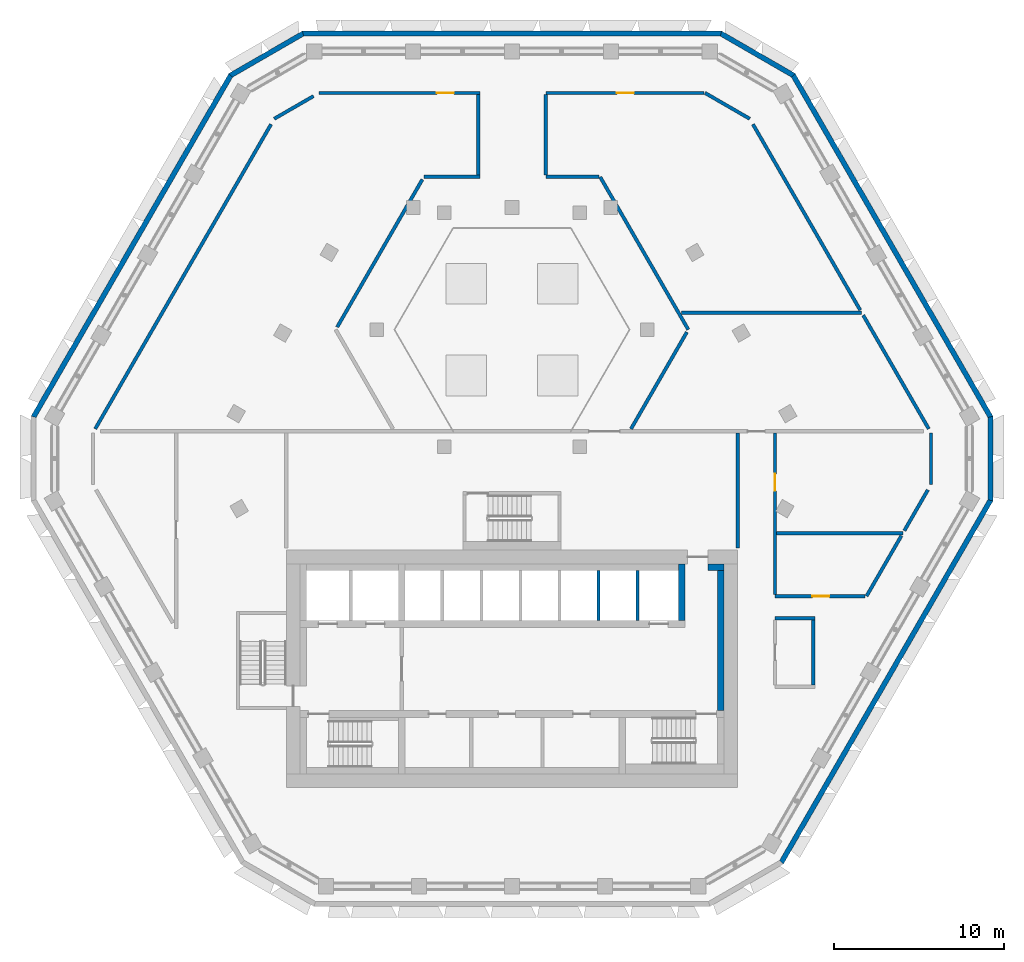
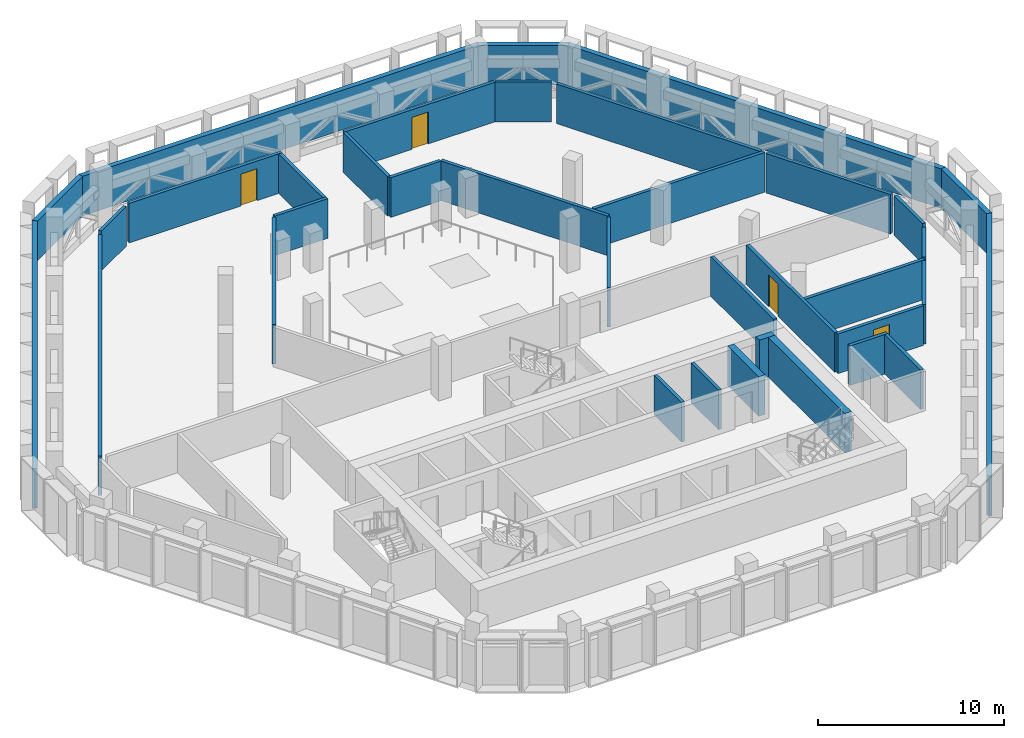
# One storey, part 13 of 22: 36 walls, 4 doors, 4 openings.
"""IFC4 building model written with IfcOpenShell, lengths in metres."""

from ifc_helpers import new_model, si_unit, direction, frame, frame_2d, origin, place, context, subcontext, project, spatial, polyline, rectangle, outline, extrude, material, layer, layer_set, type_object, element, fill, save


model = new_model("IFC4")

# Units and contexts
model_context = context("Model", 3, precision=1e-05, world=origin(), true_north=direction((0.0, 1.0)))
body_context = subcontext(model_context, "Body", "Model", "MODEL_VIEW")
ifc_project = project(units=[si_unit("LENGTHUNIT", "METRE"), si_unit("AREAUNIT", "SQUARE_METRE"), si_unit("VOLUMEUNIT", "CUBIC_METRE"), si_unit("PLANEANGLEUNIT", "RADIAN"), si_unit("MASSUNIT", "GRAM", prefix="KILO")], contexts=[model_context])

# Site, building, storey
site_placement = place(None, origin())
site = spatial("IfcSite", under=ifc_project, at=site_placement, CompositionType="ELEMENT")
building_placement = place(site_placement, origin())
building = spatial("IfcBuilding", under=site, at=building_placement, Name="Beryl Residences", CompositionType="ELEMENT")
storey_placement = place(building_placement, frame((0.0, 0.0, 153.60009765625)))
storey = spatial("IfcBuildingStorey", under=building, at=storey_placement, Name="L47", CompositionType="ELEMENT", Elevation=153.60009765625)

# Walls
ifc_material_1 = material(Name="Composite metal panel with mineral wool insulation")
ifc_layer_1 = layer(ifc_material_1, 0.300048828125)
ifc_layer_set_1 = layer_set([ifc_layer_1], Name="ES1 pale metal composite panel wall 300 mm")
wall_type_1 = type_object("IfcWallType", Name="ES1 pale metal composite panel wall 300 mm", PredefinedType="SOLIDWALL", material=ifc_layer_set_1)
wall_1_placement = place(storey_placement, frame((12.35498046875, 25.449951171875, 0.0), z_axis=(0.0, 0.0, 1.0), x_axis=(-1.0, 0.0, 0.0)))
element("IfcWall", 1, at=wall_1_placement, inside=storey, type_object=wall_type_1, Name="ES1 external wall L47 N", PredefinedType="SOLIDWALL", context=body_context, shape_type="SweptSolid", body=[
    extrude(outline(polyline([(0.0, -0.14990234375), (24.7099609375, -0.14990234375), (24.629638671875, 0.14990234375), (0.080322265625, 0.14990234375), (0.0, -0.14990234375)])), origin(), (0.0, 0.0, 1.0), 2.599853515625),
])
wall_2_placement = place(storey_placement, frame((-12.280029296875, 25.469970703125, 0.0), z_axis=(0.0, 0.0, 1.0), x_axis=(-0.866022959057, -0.500004234368, 0.0)))
element("IfcWall", 2, at=wall_2_placement, inside=storey, type_object=wall_type_1, Name="ES1 external wall L47 N-NW", PredefinedType="SOLIDWALL", context=body_context, shape_type="SweptSolid", body=[
    extrude(outline(polyline([(0.0, -0.14990234375), (5.0, -0.14990234375), (4.919677734375, 0.14990234375), (0.080322265625, 0.14990234375), (0.0, -0.14990234375)])), origin(), (0.0, 0.0, 1.0), 2.599853515625),
])
wall_3_placement = place(storey_placement, frame((-16.554931640625, 23.02490234375, 0.0), z_axis=(0.0, 0.0, 1.0), x_axis=(-0.500020536353, -0.866013546791, 0.0)))
element("IfcWall", 3, at=wall_3_placement, inside=storey, type_object=wall_type_1, Name="ES1 external wall L47 NW", PredefinedType="SOLIDWALL", context=body_context, shape_type="SweptSolid", body=[
    extrude(outline(polyline([(0.0, -0.14990234375), (23.3251953125, -0.14990234375), (23.244873046875, 0.14990234375), (0.080322265625, 0.14990234375), (0.0, -0.14990234375)])), origin(), (0.0, 0.0, 1.0), 2.599853515625),
])
wall_4_placement = place(storey_placement, frame((15.862060546875, -23.425048828125, 0.0), z_axis=(0.0, 0.0, 1.0), x_axis=(0.500017503135, 0.866015298109, 0.0)))
element("IfcWall", 4, at=wall_4_placement, inside=storey, type_object=wall_type_1, Name="ES1 external wall L47 SE", PredefinedType="SOLIDWALL", context=body_context, shape_type="SweptSolid", body=[
    extrude(outline(polyline([(0.0, -0.14990234375), (24.7109375, -0.14990234375), (24.630615234375, 0.14990234375), (0.080322265625, 0.14990234375), (0.0, -0.14990234375)])), origin(), (0.0, 0.0, 1.0), 2.599853515625),
])
wall_5_placement = place(storey_placement, frame((28.197998046875, -2.10009765625, 0.0), z_axis=(0.0, 0.0, 1.0), x_axis=(0.0, 1.0, 0.0)))
element("IfcWall", 5, at=wall_5_placement, inside=storey, type_object=wall_type_1, Name="ES1 external wall L47 SE-NE", PredefinedType="SOLIDWALL", context=body_context, shape_type="SweptSolid", body=[
    extrude(outline(polyline([(0.0, -0.14990234375), (5.0, -0.14990234375), (4.919677734375, 0.14990234375), (0.080322265625, 0.14990234375), (0.0, -0.14990234375)])), origin(), (0.0, 0.0, 1.0), 2.599853515625),
])
wall_6_placement = place(storey_placement, frame((28.218017578125, 2.824951171875, 0.0), z_axis=(0.0, 0.0, 1.0), x_axis=(-0.500020536353, 0.866013546791, 0.0)))
element("IfcWall", 6, at=wall_6_placement, inside=storey, type_object=wall_type_1, Name="ES1 external wall L47 NE", PredefinedType="SOLIDWALL", context=body_context, shape_type="SweptSolid", body=[
    extrude(outline(polyline([(0.0, -0.14990234375), (23.3251953125, -0.14990234375), (23.244873046875, 0.14990234375), (0.080322265625, 0.14990234375), (0.0, -0.14990234375)])), origin(), (0.0, 0.0, 1.0), 2.599853515625),
])
wall_7_placement = place(storey_placement, frame((16.610107421875, 22.969970703125, 0.0), z_axis=(0.0, 0.0, 1.0), x_axis=(-0.866022959057, 0.500004234368, 0.0)))
element("IfcWall", 7, at=wall_7_placement, inside=storey, type_object=wall_type_1, Name="ES1 external wall L47 NE-N", PredefinedType="SOLIDWALL", context=body_context, shape_type="SweptSolid", body=[
    extrude(outline(polyline([(0.0, -0.14990234375), (5.0, -0.14990234375), (4.919677734375, 0.14990234375), (0.080322265625, 0.14990234375), (0.0, -0.14990234375)])), origin(), (0.0, 0.0, 1.0), 2.599853515625),
])
ifc_material_2 = material(Name="Cement board with tiles")
ifc_layer_2 = layer(ifc_material_2, 0.199951171875)
ifc_layer_set_2 = layer_set([ifc_layer_2], Name="PT11-200 wet area wall 200 mm")
wall_type_2 = type_object("IfcWallType", Name="PT11-200 wet area wall 200 mm", PredefinedType="PARTITIONING", material=ifc_layer_set_2)
wall_8_placement = place(storey_placement, frame((15.5, -9.0, 0.0), z_axis=(0.0, 0.0, 1.0), x_axis=(1.0, 0.0, 0.0)))
element("IfcWall", 8, at=wall_8_placement, inside=storey, type_object=wall_type_2, Name="Wall PT11-200 L47 002", PredefinedType="PARTITIONING", context=body_context, shape_type="SweptSolid", body=[
    extrude(rectangle(XDim=2.35009765625, YDim=0.199951171875, at=frame_2d((1.175048828125, 0.0))), origin(), (0.0, 0.0, 1.0), 2.599853515625),
])
wall_9_placement = place(storey_placement, frame((17.75, -12.951904296875, 0.0), z_axis=(0.0, 0.0, 1.0), x_axis=(0.0, 1.0, 0.0)))
element("IfcWall", 9, at=wall_9_placement, inside=storey, type_object=wall_type_2, Name="Wall PT11-200 L47 004", PredefinedType="PARTITIONING", context=body_context, shape_type="SweptSolid", body=[
    extrude(rectangle(XDim=3.851806640625, YDim=0.199951171875, at=frame_2d((1.92578125, 0.0))), origin(), (0.0, 0.0, 1.0), 2.599853515625),
])
ifc_material_3 = material(Name="Concrete masonry", Category="masonry")
ifc_layer_3 = layer(ifc_material_3, 0.39990234375)
ifc_layer_set_3 = layer_set([ifc_layer_3], Name="PT13-400 lobby wall 400 mm")
wall_type_3 = type_object("IfcWallType", Name="PT13-400 lobby wall 400 mm", PredefinedType="PARTITIONING", material=ifc_layer_set_3)
wall_10_placement = place(storey_placement, frame((11.550048828125, -6.0, 0.0), z_axis=(0.0, 0.0, 1.0), x_axis=(1.0, 0.0, 0.0)))
element("IfcWall", 10, at=wall_10_placement, inside=storey, type_object=wall_type_3, Name="Lobby wall 23", PredefinedType="PARTITIONING", context=body_context, shape_type="SweptSolid", body=[
    extrude(rectangle(XDim=0.949951171875, YDim=0.39990234375, at=frame_2d((0.47509765625, 0.0))), origin(), (0.0, 0.0, 1.0), 2.599853515625),
])
wall_11_placement = place(storey_placement, frame((12.300048828125, -14.449951171875, 0.0), z_axis=(0.0, 0.0, 1.0), x_axis=(0.0, 1.0, 0.0)))
element("IfcWall", 11, at=wall_11_placement, inside=storey, type_object=wall_type_3, Name="Lobby wall 25", PredefinedType="PARTITIONING", context=body_context, shape_type="SweptSolid", body=[
    extrude(rectangle(XDim=8.25, YDim=0.39990234375, at=frame_2d((4.125, 0.0))), origin(), (0.0, 0.0, 1.0), 2.599853515625),
])
ifc_material_4 = material(Name="Double stud gypsum board wall")
ifc_layer_4 = layer(ifc_material_4, 0.199951171875)
ifc_layer_set_4 = layer_set([ifc_layer_4], Name="PT4 corridor wall 200 mm double stud")
wall_type_4 = type_object("IfcWallType", Name="PT4 corridor wall 200 mm double stud", PredefinedType="PARTITIONING", material=ifc_layer_set_4)
wall_12_placement = place(storey_placement, frame((13.300048828125, -4.8798828125, 0.0), z_axis=(0.0, 0.0, 1.0), x_axis=(0.0, 1.0, 0.0)))
element("IfcWall", 12, at=wall_12_placement, inside=storey, type_object=wall_type_4, Name="Wall PT4 L47 002", PredefinedType="PARTITIONING", context=body_context, shape_type="SweptSolid", body=[
    extrude(rectangle(XDim=6.77978515625, YDim=0.199951171875, at=frame_2d((3.389892578125, 0.0))), origin(), (0.0, 0.0, 1.0), 2.599853515625),
])
ifc_material_5 = material(Name="Concrete C40/50", Category="concrete")
ifc_layer_5 = layer(ifc_material_5, 0.199951171875)
ifc_layer_set_5 = layer_set([ifc_layer_5], Name="PT6 lift shaft wall 200 mm reinforced concrete C40/50")
wall_type_5 = type_object("IfcWallType", Name="PT6 lift shaft wall 200 mm reinforced concrete C40/50", PredefinedType="SOLIDWALL", material=ifc_layer_set_5)
for number, where, z_axis, x_axis, name in (
    (13, (5.10009765625, -9.14990234375, 0.0), (0.0, 0.0, 1.0), (0.0, 1.0, 0.0), "Lift shaft wall 20"),
    (14, (7.39990234375, -9.14990234375, 0.0), (0.0, 0.0, 1.0), (0.0, 1.0, 0.0), "Lift shaft wall 22"),
):
    element("IfcWall", number, at=place(storey_placement, frame(where, z_axis=z_axis, x_axis=x_axis)), inside=storey, type_object=wall_type_5, Name=name, PredefinedType="SOLIDWALL", context=body_context, shape_type="SweptSolid", body=[
        extrude(rectangle(XDim=2.949951171875, YDim=0.199951171875, at=frame_2d((1.47509765625, 0.0))), origin(), (0.0, 0.0, 1.0), 2.599853515625),
    ])

# Wall, opening, door
ifc_material_6 = material(Name="Concrete masonry", Category="masonry")
ifc_layer_6 = layer(ifc_material_6, 0.199951171875)
ifc_layer_set_6 = layer_set([ifc_layer_6], Name="PT8-200 service room wall 200 mm")
wall_type_6 = type_object("IfcWallType", Name="PT8-200 service room wall 200 mm", PredefinedType="PARTITIONING", material=ifc_layer_set_6)
wall_13_placement = place(storey_placement, frame((15.5, -7.7060546875, 0.0), z_axis=(0.0, 0.0, 1.0), x_axis=(1.0, 0.0, 0.0)))
wall_13 = element("IfcWall", 15, at=wall_13_placement, inside=storey, type_object=wall_type_6, Name="Wall PT8-200 L47 001", PredefinedType="PARTITIONING", context=body_context, shape_type="SweptSolid", body=[
    extrude(rectangle(XDim=5.31591796875, YDim=0.199951171875, at=frame_2d((2.657958984375, 0.0))), origin(), (0.0, 0.0, 1.0), 2.599853515625),
])
opening_1_placement = place(wall_13_placement, frame((2.198974609375, 0.0, 0.0)))
opening_1 = element("IfcOpeningElement", 16, at=opening_1_placement, cuts=wall_13, Name="Opening L47-03", PredefinedType="OPENING", context=body_context, shape_type="SweptSolid", body=[
    extrude(rectangle(XDim=1.0, YDim=2.10009765625, at=frame_2d((0.5, 1.050048828125))), frame((0.0, 0.10986328125, 0.0), z_axis=(0.0, -1.0, 0.0), x_axis=(1.0, 0.0, 0.0)), (0.0, 0.0, 1.0), 0.219970703125),
])
ifc_material_7 = material(Name="Timber door leaf", Category="wood")
door_type_1 = type_object("IfcDoorType", Name="D9 corridor door 1000 x 2100 mm", OperationType="SINGLE_SWING_LEFT", PredefinedType="DOOR", material=ifc_material_7)
door_1_placement = place(opening_1_placement, origin())
door_1 = element("IfcDoor", 17, at=door_1_placement, inside=storey, type_object=door_type_1, Name="Door L47-03 L47 001", OperationType="SINGLE_SWING_LEFT", OverallHeight=2.10009765625, OverallWidth=1.0, PredefinedType="DOOR", context=body_context, shape_type="SweptSolid", body=[
    extrude(rectangle(XDim=1.0, YDim=2.10009765625, at=frame_2d((0.5, 1.050048828125))), frame((0.0, 0.02490234375, 0.0), z_axis=(0.0, -1.0, 0.0), x_axis=(1.0, 0.0, 0.0)), (0.0, 0.0, 1.0), 0.050048828125),
])
fill(opening_1, door_1)

# Walls
wall_14_placement = place(storey_placement, frame((20.89599609375, -7.7060546875, 0.0), z_axis=(0.0, 0.0, 1.0), x_axis=(0.499969497581, 0.866043013648, 0.0)))
element("IfcWall", 18, at=wall_14_placement, inside=storey, type_object=wall_type_6, Name="Wall PT8-200 L47 002", PredefinedType="PARTITIONING", context=body_context, shape_type="SweptSolid", body=[
    extrude(rectangle(XDim=4.106201171875, YDim=0.199951171875, at=frame_2d((2.05322265625, 0.0))), origin(), (0.0, 0.0, 1.0), 2.599853515625),
])
ifc_material_8 = material(Name="Concrete C40/50", Category="concrete")
ifc_layer_7 = layer(ifc_material_8, 0.199951171875)
ifc_layer_set_7 = layer_set([ifc_layer_7], Name="PT9-200 plant room wall 200 mm")
wall_type_7 = type_object("IfcWallType", Name="PT9-200 plant room wall 200 mm", PredefinedType="SOLIDWALL", material=ifc_layer_set_7)
wall_15_placement = place(storey_placement, frame((15.60009765625, -4.0, 0.0), z_axis=(0.0, 0.0, 1.0), x_axis=(1.0, 0.0, 0.0)))
element("IfcWall", 19, at=wall_15_placement, inside=storey, type_object=wall_type_7, Name="Wall PT9-200 L47 001", PredefinedType="SOLIDWALL", context=body_context, shape_type="SweptSolid", body=[
    extrude(rectangle(XDim=7.435791015625, YDim=0.199951171875, at=frame_2d((3.7177734375, 0.0))), origin(), (0.0, 0.0, 1.0), 2.599853515625),
])
wall_16_placement = place(storey_placement, frame((9.985107421875, 9.0, 0.0), z_axis=(0.0, 0.0, 1.0), x_axis=(1.0, 0.0, 0.0)))
element("IfcWall", 20, at=wall_16_placement, inside=storey, type_object=wall_type_7, Name="Wall PT9-200 L47 003", PredefinedType="SOLIDWALL", context=body_context, shape_type="SweptSolid", body=[
    extrude(rectangle(XDim=10.6259765625, YDim=0.199951171875, at=frame_2d((5.31298828125, 0.0))), origin(), (0.0, 0.0, 1.0), 2.599853515625),
])
wall_17_placement = place(storey_placement, frame((-5.196044921875, 17.0, 0.0), z_axis=(0.0, 0.0, 1.0), x_axis=(1.0, 0.0, 0.0)))
element("IfcWall", 21, at=wall_17_placement, inside=storey, type_object=wall_type_7, Name="Wall PT9-200 L47 004", PredefinedType="SOLIDWALL", context=body_context, shape_type="SweptSolid", body=[
    extrude(rectangle(XDim=3.296142578125, YDim=0.199951171875, at=frame_2d((1.64794921875, 0.0))), origin(), (0.0, 0.0, 1.0), 2.599853515625),
])
wall_18_placement = place(storey_placement, frame((2.0, 17.0, 0.0), z_axis=(0.0, 0.0, 1.0), x_axis=(1.0, 0.0, 0.0)))
element("IfcWall", 22, at=wall_18_placement, inside=storey, type_object=wall_type_7, Name="Wall PT9-200 L47 005", PredefinedType="SOLIDWALL", context=body_context, shape_type="SweptSolid", body=[
    extrude(rectangle(XDim=3.115966796875, YDim=0.199951171875, at=frame_2d((1.55810546875, 0.0))), origin(), (0.0, 0.0, 1.0), 2.599853515625),
])

# Wall, opening, door
wall_19_placement = place(storey_placement, frame((-11.376953125, 21.949951171875, 0.0), z_axis=(0.0, 0.0, 1.0), x_axis=(1.0, 0.0, 0.0)))
wall_19 = element("IfcWall", 23, at=wall_19_placement, inside=storey, type_object=wall_type_7, Name="Wall PT9-200 L47 006", PredefinedType="SOLIDWALL", context=body_context, shape_type="SweptSolid", body=[
    extrude(rectangle(XDim=9.47705078125, YDim=0.199951171875, at=frame_2d((4.738525390625, 0.0))), origin(), (0.0, 0.0, 1.0), 2.599853515625),
])
opening_2_placement = place(wall_19_placement, frame((7.945068359375, 0.0, 0.0), z_axis=(0.0, 0.0, 1.0), x_axis=(-1.0, 0.0, 0.0)))
opening_2 = element("IfcOpeningElement", 24, at=opening_2_placement, cuts=wall_19, Name="Opening L47-04", PredefinedType="OPENING", context=body_context, shape_type="SweptSolid", body=[
    extrude(rectangle(XDim=1.0, YDim=2.10009765625, at=frame_2d((0.5, 1.050048828125))), frame((0.0, 0.10986328125, 0.0), z_axis=(0.0, -1.0, 0.0), x_axis=(1.0, 0.0, 0.0)), (0.0, 0.0, 1.0), 0.219970703125),
])
ifc_material_9 = material(Name="Steel door leaf in steel frame", Category="steel")
door_type_2 = type_object("IfcDoorType", Name="D16 plant room door 1000 x 2100 mm", OperationType="SINGLE_SWING_LEFT", PredefinedType="DOOR", material=ifc_material_9)
door_2_placement = place(opening_2_placement, origin())
door_2 = element("IfcDoor", 25, at=door_2_placement, inside=storey, type_object=door_type_2, Name="Door L47-04 L47 001", OperationType="SINGLE_SWING_LEFT", OverallHeight=2.10009765625, OverallWidth=1.0, PredefinedType="DOOR", context=body_context, shape_type="SweptSolid", body=[
    extrude(rectangle(XDim=1.0, YDim=2.10009765625, at=frame_2d((0.5, 1.050048828125))), frame((0.0, 0.02490234375, 0.0), z_axis=(0.0, -1.0, 0.0), x_axis=(1.0, 0.0, 0.0)), (0.0, 0.0, 1.0), 0.050048828125),
])
fill(opening_2, door_2)

wall_20_placement = place(storey_placement, frame((2.0, 21.949951171875, 0.0), z_axis=(0.0, 0.0, 1.0), x_axis=(1.0, 0.0, 0.0)))
wall_20 = element("IfcWall", 26, at=wall_20_placement, inside=storey, type_object=wall_type_7, Name="Wall PT9-200 L47 007", PredefinedType="SOLIDWALL", context=body_context, shape_type="SweptSolid", body=[
    extrude(rectangle(XDim=9.326904296875, YDim=0.199951171875, at=frame_2d((4.66357421875, 0.0))), origin(), (0.0, 0.0, 1.0), 2.599853515625),
])
opening_3_placement = place(wall_20_placement, frame((5.18798828125, 0.0, 0.0), z_axis=(0.0, 0.0, 1.0), x_axis=(-1.0, 0.0, 0.0)))
opening_3 = element("IfcOpeningElement", 27, at=opening_3_placement, cuts=wall_20, Name="Opening L47-07", PredefinedType="OPENING", context=body_context, shape_type="SweptSolid", body=[
    extrude(rectangle(XDim=1.0, YDim=2.10009765625, at=frame_2d((0.5, 1.050048828125))), frame((0.0, 0.10986328125, 0.0), z_axis=(0.0, -1.0, 0.0), x_axis=(1.0, 0.0, 0.0)), (0.0, 0.0, 1.0), 0.219970703125),
])
door_3_placement = place(opening_3_placement, origin())
door_3 = element("IfcDoor", 28, at=door_3_placement, inside=storey, type_object=door_type_2, Name="Door L47-07 L47 001", OperationType="SINGLE_SWING_RIGHT", OverallHeight=2.10009765625, OverallWidth=1.0, PredefinedType="DOOR", context=body_context, shape_type="SweptSolid", body=[
    extrude(rectangle(XDim=1.0, YDim=2.10009765625, at=frame_2d((0.5, 1.050048828125))), frame((0.0, 0.02490234375, 0.0), z_axis=(0.0, -1.0, 0.0), x_axis=(1.0, 0.0, 0.0)), (0.0, 0.0, 1.0), 0.050048828125),
])
fill(opening_3, door_3)

# Walls
for number, where, z_axis, x_axis, name in (
    (29, (-2.0, 17.10009765625, 0.0), (0.0, 0.0, 1.0), (0.0, 1.0, 0.0), "Wall PT9-200 L47 010"),
    (30, (2.0, 17.10009765625, 0.0), (0.0, 0.0, 1.0), (0.0, 1.0, 0.0), "Wall PT9-200 L47 011"),
):
    element("IfcWall", number, at=place(storey_placement, frame(where, z_axis=z_axis, x_axis=x_axis)), inside=storey, type_object=wall_type_7, Name=name, PredefinedType="SOLIDWALL", context=body_context, shape_type="SweptSolid", body=[
        extrude(rectangle(XDim=4.75, YDim=0.199951171875, at=frame_2d((2.375, 0.0))), origin(), (0.0, 0.0, 1.0), 2.599853515625),
    ])

# Wall, opening, door
wall_21_placement = place(storey_placement, frame((15.5, -7.60595703125, 0.0), z_axis=(0.0, 0.0, 1.0), x_axis=(0.0, 1.0, 0.0)))
wall_21 = element("IfcWall", 31, at=wall_21_placement, inside=storey, type_object=wall_type_7, Name="Wall PT9-200 L47 012", PredefinedType="SOLIDWALL", context=body_context, shape_type="SweptSolid", body=[
    extrude(rectangle(XDim=9.505859375, YDim=0.199951171875, at=frame_2d((4.7529296875, 0.0))), origin(), (0.0, 0.0, 1.0), 2.599853515625),
])
opening_4_placement = place(wall_21_placement, frame((7.10400390625, 0.0, 0.0), z_axis=(0.0, 0.0, 1.0), x_axis=(-1.0, 0.0, 0.0)))
opening_4 = element("IfcOpeningElement", 32, at=opening_4_placement, cuts=wall_21, Name="Opening L47-06", PredefinedType="OPENING", context=body_context, shape_type="SweptSolid", body=[
    extrude(rectangle(XDim=1.0, YDim=2.10009765625, at=frame_2d((0.5, 1.050048828125))), frame((0.0, 0.10986328125, 0.0), z_axis=(0.0, -1.0, 0.0), x_axis=(1.0, 0.0, 0.0)), (0.0, 0.0, 1.0), 0.219970703125),
])
door_4_placement = place(opening_4_placement, origin())
door_4 = element("IfcDoor", 33, at=door_4_placement, inside=storey, type_object=door_type_2, Name="Door L47-06 L47 001", OperationType="SINGLE_SWING_LEFT", OverallHeight=2.10009765625, OverallWidth=1.0, PredefinedType="DOOR", context=body_context, shape_type="SweptSolid", body=[
    extrude(rectangle(XDim=1.0, YDim=2.10009765625, at=frame_2d((0.5, 1.050048828125))), frame((0.0, 0.02490234375, 0.0), z_axis=(0.0, -1.0, 0.0), x_axis=(1.0, 0.0, 0.0)), (0.0, 0.0, 1.0), 0.050048828125),
])
fill(opening_4, door_4)

# Walls
wall_22_placement = place(storey_placement, frame((24.697998046875, -1.1220703125, 0.0), z_axis=(0.0, 0.0, 1.0), x_axis=(0.0, 1.0, 0.0)))
element("IfcWall", 34, at=wall_22_placement, inside=storey, type_object=wall_type_7, Name="Wall PT9-200 L47 013", PredefinedType="SOLIDWALL", context=body_context, shape_type="SweptSolid", body=[
    extrude(rectangle(XDim=3.044189453125, YDim=0.199951171875, at=frame_2d((1.52197265625, 0.0))), origin(), (0.0, 0.0, 1.0), 2.599853515625),
])
wall_23_placement = place(storey_placement, frame((11.376953125, 21.949951171875, 0.0), z_axis=(0.0, 0.0, 1.0), x_axis=(0.866013277291, -0.500021003115, 0.0)))
element("IfcWall", 35, at=wall_23_placement, inside=storey, type_object=wall_type_7, Name="Wall PT9-200 L47 014", PredefinedType="SOLIDWALL", context=body_context, shape_type="SweptSolid", body=[
    extrude(rectangle(XDim=3.043701171875, YDim=0.199951171875, at=frame_2d((1.52197265625, 0.0))), origin(), (0.0, 0.0, 1.0), 2.599853515625),
])
wall_24_placement = place(storey_placement, frame((5.196044921875, 17.0, 0.0), z_axis=(0.0, 0.0, 1.0), x_axis=(0.499955721747, -0.866050966336, 0.0)))
element("IfcWall", 36, at=wall_24_placement, inside=storey, type_object=wall_type_7, Name="Wall PT9-200 L47 017", PredefinedType="SOLIDWALL", context=body_context, shape_type="SweptSolid", body=[
    extrude(rectangle(XDim=10.388671875, YDim=0.199951171875, at=frame_2d((5.1943359375, 0.0))), origin(), (0.0, 0.0, 1.0), 2.599853515625),
])
wall_25_placement = place(storey_placement, frame((14.199951171875, 20.10498046875, 0.0), z_axis=(0.0, 0.0, 1.0), x_axis=(0.499944105132, -0.866057672296, 0.0)))
element("IfcWall", 37, at=wall_25_placement, inside=storey, type_object=wall_type_7, Name="Wall PT9-200 L47 018", PredefinedType="SOLIDWALL", context=body_context, shape_type="SweptSolid", body=[
    extrude(rectangle(XDim=12.6494140625, YDim=0.199951171875, at=frame_2d((6.32470703125, 0.0))), origin(), (0.0, 0.0, 1.0), 2.599853515625),
])
wall_26_placement = place(storey_placement, frame((20.697998046875, 8.85009765625, 0.0), z_axis=(0.0, 0.0, 1.0), x_axis=(0.499957378818, -0.866050009737, 0.0)))
element("IfcWall", 38, at=wall_26_placement, inside=storey, type_object=wall_type_7, Name="Wall PT9-200 L47 019", PredefinedType="SOLIDWALL", context=body_context, shape_type="SweptSolid", body=[
    extrude(rectangle(XDim=7.736572265625, YDim=0.199951171875, at=frame_2d((3.8681640625, 0.0))), origin(), (0.0, 0.0, 1.0), 2.599853515625),
])
wall_27_placement = place(storey_placement, frame((-14.012939453125, 20.427978515625, 0.0), z_axis=(0.0, 0.0, 1.0), x_axis=(0.866097299559, 0.499875452184, 0.0)))
element("IfcWall", 39, at=wall_27_placement, inside=storey, type_object=wall_type_7, Name="Wall PT9-200 L47 020", PredefinedType="SOLIDWALL", context=body_context, shape_type="SweptSolid", body=[
    extrude(rectangle(XDim=2.670654296875, YDim=0.199951171875, at=frame_2d((1.33544921875, 0.0))), origin(), (0.0, 0.0, 1.0), 2.599853515625),
])
wall_28_placement = place(storey_placement, frame((23.123046875, -3.85009765625, 0.0), z_axis=(0.0, 0.0, 1.0), x_axis=(0.499836620903, 0.866119710204, 0.0)))
element("IfcWall", 40, at=wall_28_placement, inside=storey, type_object=wall_type_7, Name="Wall PT9-200 L47 021", PredefinedType="SOLIDWALL", context=body_context, shape_type="SweptSolid", body=[
    extrude(rectangle(XDim=2.77685546875, YDim=0.199951171875, at=frame_2d((1.388427734375, 0.0))), origin(), (0.0, 0.0, 1.0), 2.599853515625),
])
wall_29_placement = place(storey_placement, frame((7.012939453125, 2.14794921875, 0.0), z_axis=(0.0, 0.0, 1.0), x_axis=(0.499983511822, 0.866034923029, 0.0)))
element("IfcWall", 41, at=wall_29_placement, inside=storey, type_object=wall_type_7, Name="Wall PT9-200 L47 022", PredefinedType="SOLIDWALL", context=body_context, shape_type="SweptSolid", body=[
    extrude(rectangle(XDim=6.584228515625, YDim=0.199951171875, at=frame_2d((3.2919921875, 0.0))), origin(), (0.0, 0.0, 1.0), 2.599853515625),
])
wall_30_placement = place(storey_placement, frame((-10.304931640625, 8.14990234375, 0.0), z_axis=(0.0, 0.0, 1.0), x_axis=(0.499918809126, 0.866072274283, 0.0)))
element("IfcWall", 42, at=wall_30_placement, inside=storey, type_object=wall_type_7, Name="Wall PT9-200 L47 023", PredefinedType="SOLIDWALL", context=body_context, shape_type="SweptSolid", body=[
    extrude(rectangle(XDim=10.045654296875, YDim=0.199951171875, at=frame_2d((5.02294921875, 0.0))), origin(), (0.0, 0.0, 1.0), 2.599853515625),
])
wall_31_placement = place(storey_placement, frame((-24.56591796875, 2.14990234375, 0.0), z_axis=(0.0, 0.0, 1.0), x_axis=(0.499985443393, 0.866033807882, 0.0)))
element("IfcWall", 43, at=wall_31_placement, inside=storey, type_object=wall_type_7, Name="Wall PT9-200 L47 024", PredefinedType="SOLIDWALL", context=body_context, shape_type="SweptSolid", body=[
    extrude(rectangle(XDim=20.732421875, YDim=0.199951171875, at=frame_2d((10.3662109375, 0.0))), origin(), (0.0, 0.0, 1.0), 2.599853515625),
])
ifc_material_10 = material(Name="Concrete C60/75", Category="concrete")
ifc_layer_8 = layer(ifc_material_10, 0.39990234375)
ifc_layer_set_8 = layer_set([ifc_layer_8], Name="SW8 core internal wall 400 mm C60/75")
wall_type_8 = type_object("IfcWallType", Name="SW8 core internal wall 400 mm C60/75", PredefinedType="SHEAR", material=ifc_layer_set_8)
wall_32_placement = place(storey_placement, frame((10.0, -9.14990234375, 0.0), z_axis=(0.0, 0.0, 1.0), x_axis=(0.0, 1.0, 0.0)))
element("IfcWall", 44, at=wall_32_placement, inside=storey, type_object=wall_type_8, Name="Core wall XN2 L47", PredefinedType="SHEAR", context=body_context, shape_type="SweptSolid", body=[
    extrude(rectangle(XDim=3.349853515625, YDim=0.39990234375, at=frame_2d((1.6748046875, 0.0))), origin(), (0.0, 0.0, 1.0), 2.599853515625),
])

save(model, "model.ifc")
